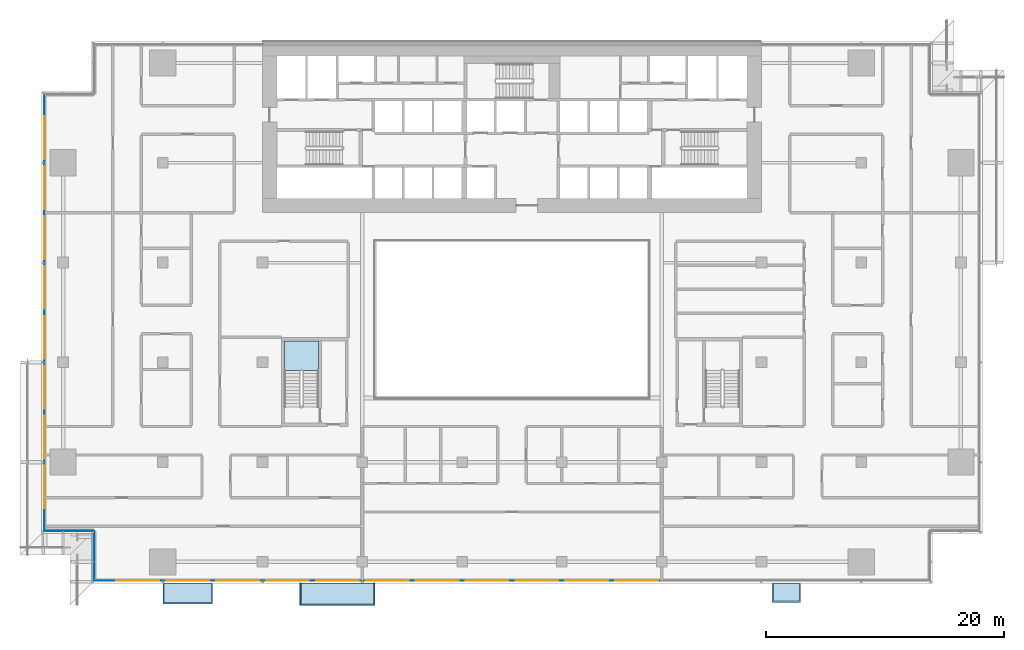
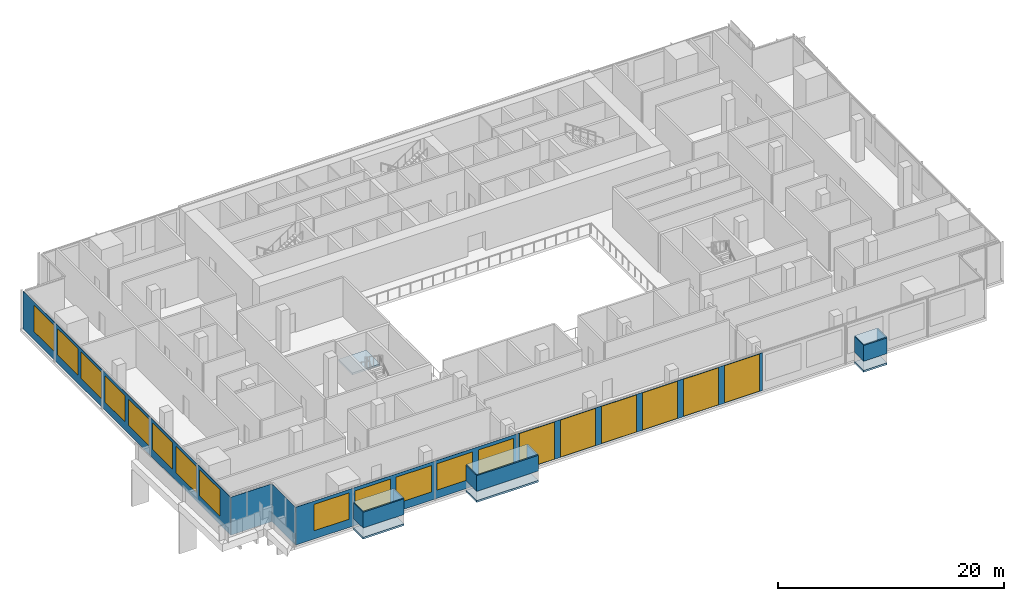
# One storey, part 11 of 23: 19 windows, 11 plates, 4 slabs, 19 openings, 5 elements without a shape of their own.
"""IFC4 building model written with IfcOpenShell, lengths in metres."""

from ifc_helpers import new_model, si_unit, direction, frame, frame_2d, origin, place, context, subcontext, project, spatial, polyline, rectangle, outline, extrude, material, layer, layer_set, type_object, element, fill, aggregate, save


model = new_model("IFC4")

# Units and contexts
model_context = context("Model", 3, precision=1e-05, world=origin(), true_north=direction((0.0, 1.0)))
body_context = subcontext(model_context, "Body", "Model", "MODEL_VIEW")
ifc_project = project(units=[si_unit("LENGTHUNIT", "METRE"), si_unit("AREAUNIT", "SQUARE_METRE"), si_unit("VOLUMEUNIT", "CUBIC_METRE"), si_unit("PLANEANGLEUNIT", "RADIAN"), si_unit("MASSUNIT", "GRAM", prefix="KILO")], contexts=[model_context])

# Site, building, storey
site_placement = place(None, origin())
site = spatial("IfcSite", under=ifc_project, at=site_placement, CompositionType="ELEMENT")
building_placement = place(site_placement, origin())
building = spatial("IfcBuilding", under=site, at=building_placement, Name="Saffron Gate Tower", CompositionType="ELEMENT")
storey_placement = place(building_placement, frame((0.0, 0.0, 32.699951171875)))
storey = spatial("IfcBuildingStorey", under=building, at=storey_placement, Name="L06", CompositionType="ELEMENT", Elevation=32.699951171875)

# Curtain wall, plates, openings, windows
ifc_material_1 = material(Name="Aluminium, bronze anodised", Category="aluminium")
curtain_wall_type = type_object("IfcCurtainWallType", Name="CWS6 curtain wall tall storeys", PredefinedType="NOTDEFINED", material=ifc_material_1)
curtain_wall_1_placement = place(storey_placement, origin())
curtain_wall_1 = element("IfcCurtainWall", 1, at=curtain_wall_1_placement, inside=storey, type_object=curtain_wall_type, Name="CWS6 run 1", PredefinedType="NOTDEFINED")
ifc_material_2 = material(Name="Clear low-iron laminated glass", Category="glass")
ifc_layer_1 = layer(ifc_material_2, 0.028076171875)
ifc_layer_set_1 = layer_set([ifc_layer_1], Name="CWS6 clear glass")
plate_type_1 = type_object("IfcPlateType", Name="CWS6 clear glass", PredefinedType="CURTAIN_PANEL", material=ifc_layer_set_1)
plate_1_placement = place(storey_placement, frame((75.0400390625, 30.214111328125, 0.0), z_axis=(0.0, 0.0, 1.0), x_axis=(1.0, 0.0, 0.0)))
plate_1 = element("IfcPlate", 2, at=plate_1_placement, type_object=plate_type_1, Name="CWS6 clear glass panel", PredefinedType="CURTAIN_PANEL", context=body_context, shape_type="SweptSolid", body=[
    extrude(rectangle(XDim=25.119873046875, YDim=0.028076171875, at=frame_2d((12.56005859375, 0.0))), origin(), (0.0, 0.0, 1.0), 4.10009765625),
])
opening_1_placement = place(plate_1_placement, frame((0.260009765625, 0.0, 0.050048828125)))
opening_1 = element("IfcOpeningElement", 3, at=opening_1_placement, cuts=plate_1, Name="Opening WA", PredefinedType="OPENING", context=body_context, shape_type="SweptSolid", body=[
    extrude(rectangle(XDim=3.60009765625, YDim=4.0, at=frame_2d((1.800048828125, 2.0))), frame((0.0, 0.02392578125, 0.0), z_axis=(0.0, -1.0, 0.0), x_axis=(1.0, 0.0, 0.0)), (0.0, 0.0, 1.0), 0.048095703125),
])
opening_2_placement = place(plate_1_placement, frame((4.4599609375, 0.0, 0.050048828125)))
opening_2 = element("IfcOpeningElement", 4, at=opening_2_placement, cuts=plate_1, Name="Opening WA", PredefinedType="OPENING", context=body_context, shape_type="SweptSolid", body=[
    extrude(rectangle(XDim=3.60009765625, YDim=4.0, at=frame_2d((1.800048828125, 2.0))), frame((0.0, 0.02392578125, 0.0), z_axis=(0.0, -1.0, 0.0), x_axis=(1.0, 0.0, 0.0)), (0.0, 0.0, 1.0), 0.048095703125),
])
opening_3_placement = place(plate_1_placement, frame((8.659912109375, 0.0, 0.050048828125)))
opening_3 = element("IfcOpeningElement", 5, at=opening_3_placement, cuts=plate_1, Name="Opening WA", PredefinedType="OPENING", context=body_context, shape_type="SweptSolid", body=[
    extrude(rectangle(XDim=3.60009765625, YDim=4.0, at=frame_2d((1.800048828125, 2.0))), frame((0.0, 0.02392578125, 0.0), z_axis=(0.0, -1.0, 0.0), x_axis=(1.0, 0.0, 0.0)), (0.0, 0.0, 1.0), 0.048095703125),
])
opening_4_placement = place(plate_1_placement, frame((12.860107421875, 0.0, 0.050048828125)))
opening_4 = element("IfcOpeningElement", 6, at=opening_4_placement, cuts=plate_1, Name="Opening WA", PredefinedType="OPENING", context=body_context, shape_type="SweptSolid", body=[
    extrude(rectangle(XDim=3.60009765625, YDim=4.0, at=frame_2d((1.800048828125, 2.0))), frame((0.0, 0.02392578125, 0.0), z_axis=(0.0, -1.0, 0.0), x_axis=(1.0, 0.0, 0.0)), (0.0, 0.0, 1.0), 0.048095703125),
])
opening_5_placement = place(plate_1_placement, frame((17.06005859375, 0.0, 0.050048828125)))
opening_5 = element("IfcOpeningElement", 7, at=opening_5_placement, cuts=plate_1, Name="Opening WA", PredefinedType="OPENING", context=body_context, shape_type="SweptSolid", body=[
    extrude(rectangle(XDim=3.60009765625, YDim=4.0, at=frame_2d((1.800048828125, 2.0))), frame((0.0, 0.02392578125, 0.0), z_axis=(0.0, -1.0, 0.0), x_axis=(1.0, 0.0, 0.0)), (0.0, 0.0, 1.0), 0.048095703125),
])
opening_6_placement = place(plate_1_placement, frame((21.260009765625, 0.0, 0.050048828125)))
opening_6 = element("IfcOpeningElement", 8, at=opening_6_placement, cuts=plate_1, Name="Opening WA", PredefinedType="OPENING", context=body_context, shape_type="SweptSolid", body=[
    extrude(rectangle(XDim=3.60009765625, YDim=4.0, at=frame_2d((1.800048828125, 2.0))), frame((0.0, 0.02392578125, 0.0), z_axis=(0.0, -1.0, 0.0), x_axis=(1.0, 0.0, 0.0)), (0.0, 0.0, 1.0), 0.048095703125),
])
ifc_material_3 = material(Name="Clear low-iron laminated glass in bronze frame", Category="glass")
ifc_layer_2 = layer(ifc_material_3, 0.06005859375)
ifc_layer_set_2 = layer_set([ifc_layer_2], Name="WA operable atrium unit 3600x4000")
window_type_1 = type_object("IfcWindowType", Name="WA operable atrium unit 3600x4000", PartitioningType="DOUBLE_PANEL_HORIZONTAL", PredefinedType="WINDOW", material=ifc_layer_set_2)
window_1_placement = place(opening_1_placement, origin())
window_1 = element("IfcWindow", 9, at=window_1_placement, type_object=window_type_1, Name="WA operable atrium unit", OverallHeight=4.0, OverallWidth=3.60009765625, PartitioningType="SINGLE_PANEL", PredefinedType="WINDOW", context=body_context, shape_type="SweptSolid", body=[
    extrude(rectangle(XDim=3.60009765625, YDim=4.0, at=frame_2d((1.800048828125, 2.0))), frame((0.0, 0.013671875, 0.0), z_axis=(0.0, -1.0, 0.0), x_axis=(1.0, 0.0, 0.0)), (0.0, 0.0, 1.0), 0.027587890625),
])
fill(opening_1, window_1)
window_2_placement = place(opening_2_placement, origin())
window_2 = element("IfcWindow", 10, at=window_2_placement, type_object=window_type_1, Name="WA operable atrium unit", OverallHeight=4.0, OverallWidth=3.60009765625, PartitioningType="SINGLE_PANEL", PredefinedType="WINDOW", context=body_context, shape_type="SweptSolid", body=[
    extrude(rectangle(XDim=3.60009765625, YDim=4.0, at=frame_2d((1.800048828125, 2.0))), frame((0.0, 0.013671875, 0.0), z_axis=(0.0, -1.0, 0.0), x_axis=(1.0, 0.0, 0.0)), (0.0, 0.0, 1.0), 0.027587890625),
])
fill(opening_2, window_2)
window_3_placement = place(opening_3_placement, origin())
window_3 = element("IfcWindow", 11, at=window_3_placement, type_object=window_type_1, Name="WA operable atrium unit", OverallHeight=4.0, OverallWidth=3.60009765625, PartitioningType="SINGLE_PANEL", PredefinedType="WINDOW", context=body_context, shape_type="SweptSolid", body=[
    extrude(rectangle(XDim=3.60009765625, YDim=4.0, at=frame_2d((1.800048828125, 2.0))), frame((0.0, 0.013671875, 0.0), z_axis=(0.0, -1.0, 0.0), x_axis=(1.0, 0.0, 0.0)), (0.0, 0.0, 1.0), 0.027587890625),
])
fill(opening_3, window_3)
window_4_placement = place(opening_4_placement, origin())
window_4 = element("IfcWindow", 12, at=window_4_placement, type_object=window_type_1, Name="WA operable atrium unit", OverallHeight=4.0, OverallWidth=3.60009765625, PartitioningType="SINGLE_PANEL", PredefinedType="WINDOW", context=body_context, shape_type="SweptSolid", body=[
    extrude(rectangle(XDim=3.60009765625, YDim=4.0, at=frame_2d((1.800048828125, 2.0))), frame((0.0, 0.013671875, 0.0), z_axis=(0.0, -1.0, 0.0), x_axis=(1.0, 0.0, 0.0)), (0.0, 0.0, 1.0), 0.027587890625),
])
fill(opening_4, window_4)
window_5_placement = place(opening_5_placement, origin())
window_5 = element("IfcWindow", 13, at=window_5_placement, type_object=window_type_1, Name="WA operable atrium unit", OverallHeight=4.0, OverallWidth=3.60009765625, PartitioningType="SINGLE_PANEL", PredefinedType="WINDOW", context=body_context, shape_type="SweptSolid", body=[
    extrude(rectangle(XDim=3.60009765625, YDim=4.0, at=frame_2d((1.800048828125, 2.0))), frame((0.0, 0.013671875, 0.0), z_axis=(0.0, -1.0, 0.0), x_axis=(1.0, 0.0, 0.0)), (0.0, 0.0, 1.0), 0.027587890625),
])
fill(opening_5, window_5)
window_6_placement = place(opening_6_placement, origin())
window_6 = element("IfcWindow", 14, at=window_6_placement, type_object=window_type_1, Name="WA operable atrium unit", OverallHeight=4.0, OverallWidth=3.60009765625, PartitioningType="SINGLE_PANEL", PredefinedType="WINDOW", context=body_context, shape_type="SweptSolid", body=[
    extrude(rectangle(XDim=3.60009765625, YDim=4.0, at=frame_2d((1.800048828125, 2.0))), frame((0.0, 0.013671875, 0.0), z_axis=(0.0, -1.0, 0.0), x_axis=(1.0, 0.0, 0.0)), (0.0, 0.0, 1.0), 0.027587890625),
])
fill(opening_6, window_6)
ifc_material_4 = material(Name="Fritted bronze-tinted laminated glass", Category="glass")
ifc_layer_3 = layer(ifc_material_4, 0.028076171875)
ifc_layer_set_3 = layer_set([ifc_layer_3], Name="CWS6 fixed glass")
plate_type_2 = type_object("IfcPlateType", Name="CWS6 fixed glass", PredefinedType="CURTAIN_PANEL", material=ifc_layer_set_3)
plate_2_placement = place(storey_placement, frame((52.427978515625, 30.214111328125, 0.0), z_axis=(0.0, 0.0, 1.0), x_axis=(1.0, 0.0, 0.0)))
plate_2 = element("IfcPlate", 15, at=plate_2_placement, type_object=plate_type_2, Name="CWS6 glass panel", PredefinedType="CURTAIN_PANEL", context=body_context, shape_type="SweptSolid", body=[
    extrude(rectangle(XDim=22.612060546875, YDim=0.028076171875, at=frame_2d((11.30615234375, 0.0))), origin(), (0.0, 0.0, 1.0), 4.10009765625),
])
opening_7_placement = place(plate_2_placement, frame((1.8720703125, 0.0, 0.89990234375)))
opening_7 = element("IfcOpeningElement", 16, at=opening_7_placement, cuts=plate_2, Name="Opening W4", PredefinedType="OPENING", context=body_context, shape_type="SweptSolid", body=[
    extrude(rectangle(XDim=3.60009765625, YDim=2.85009765625, at=frame_2d((1.800048828125, 1.425048828125))), frame((0.0, 0.02392578125, 0.0), z_axis=(0.0, -1.0, 0.0), x_axis=(1.0, 0.0, 0.0)), (0.0, 0.0, 1.0), 0.048095703125),
])
opening_8_placement = place(plate_2_placement, frame((6.072021484375, 0.0, 0.89990234375)))
opening_8 = element("IfcOpeningElement", 17, at=opening_8_placement, cuts=plate_2, Name="Opening W4", PredefinedType="OPENING", context=body_context, shape_type="SweptSolid", body=[
    extrude(rectangle(XDim=3.60009765625, YDim=2.85009765625, at=frame_2d((1.800048828125, 1.425048828125))), frame((0.0, 0.02392578125, 0.0), z_axis=(0.0, -1.0, 0.0), x_axis=(1.0, 0.0, 0.0)), (0.0, 0.0, 1.0), 0.048095703125),
])
opening_9_placement = place(plate_2_placement, frame((10.27197265625, 0.0, 0.89990234375)))
opening_9 = element("IfcOpeningElement", 18, at=opening_9_placement, cuts=plate_2, Name="Opening W4", PredefinedType="OPENING", context=body_context, shape_type="SweptSolid", body=[
    extrude(rectangle(XDim=3.60009765625, YDim=2.85009765625, at=frame_2d((1.800048828125, 1.425048828125))), frame((0.0, 0.02392578125, 0.0), z_axis=(0.0, -1.0, 0.0), x_axis=(1.0, 0.0, 0.0)), (0.0, 0.0, 1.0), 0.048095703125),
])
opening_10_placement = place(plate_2_placement, frame((14.471923828125, 0.0, 0.89990234375)))
opening_10 = element("IfcOpeningElement", 19, at=opening_10_placement, cuts=plate_2, Name="Opening W4", PredefinedType="OPENING", context=body_context, shape_type="SweptSolid", body=[
    extrude(rectangle(XDim=3.60009765625, YDim=2.85009765625, at=frame_2d((1.800048828125, 1.425048828125))), frame((0.0, 0.02392578125, 0.0), z_axis=(0.0, -1.0, 0.0), x_axis=(1.0, 0.0, 0.0)), (0.0, 0.0, 1.0), 0.048095703125),
])
opening_11_placement = place(plate_2_placement, frame((18.672119140625, 0.0, 0.89990234375)))
opening_11 = element("IfcOpeningElement", 20, at=opening_11_placement, cuts=plate_2, Name="Opening W4", PredefinedType="OPENING", context=body_context, shape_type="SweptSolid", body=[
    extrude(rectangle(XDim=3.60009765625, YDim=2.85009765625, at=frame_2d((1.800048828125, 1.425048828125))), frame((0.0, 0.02392578125, 0.0), z_axis=(0.0, -1.0, 0.0), x_axis=(1.0, 0.0, 0.0)), (0.0, 0.0, 1.0), 0.048095703125),
])
ifc_material_5 = material(Name="Fritted bronze-tinted laminated glass in bronze frame", Category="glass")
ifc_layer_4 = layer(ifc_material_5, 0.06005859375)
ifc_layer_set_4 = layer_set([ifc_layer_4], Name="W4 operable panel 3600x2850")
window_type_2 = type_object("IfcWindowType", Name="W4 operable panel 3600x2850", PartitioningType="DOUBLE_PANEL_HORIZONTAL", PredefinedType="WINDOW", material=ifc_layer_set_4)
window_7_placement = place(opening_7_placement, origin())
window_7 = element("IfcWindow", 21, at=window_7_placement, type_object=window_type_2, Name="W4 operable panel", OverallHeight=2.85009765625, OverallWidth=3.60009765625, PartitioningType="SINGLE_PANEL", PredefinedType="WINDOW", context=body_context, shape_type="SweptSolid", body=[
    extrude(rectangle(XDim=3.60009765625, YDim=2.85009765625, at=frame_2d((1.800048828125, 1.425048828125))), frame((0.0, 0.013671875, 0.0), z_axis=(0.0, -1.0, 0.0), x_axis=(1.0, 0.0, 0.0)), (0.0, 0.0, 1.0), 0.027587890625),
])
fill(opening_7, window_7)
window_8_placement = place(opening_8_placement, origin())
window_8 = element("IfcWindow", 22, at=window_8_placement, type_object=window_type_2, Name="W4 operable panel", OverallHeight=2.85009765625, OverallWidth=3.60009765625, PartitioningType="SINGLE_PANEL", PredefinedType="WINDOW", context=body_context, shape_type="SweptSolid", body=[
    extrude(rectangle(XDim=3.60009765625, YDim=2.85009765625, at=frame_2d((1.800048828125, 1.425048828125))), frame((0.0, 0.013671875, 0.0), z_axis=(0.0, -1.0, 0.0), x_axis=(1.0, 0.0, 0.0)), (0.0, 0.0, 1.0), 0.027587890625),
])
fill(opening_8, window_8)
window_9_placement = place(opening_9_placement, origin())
window_9 = element("IfcWindow", 23, at=window_9_placement, type_object=window_type_2, Name="W4 operable panel", OverallHeight=2.85009765625, OverallWidth=3.60009765625, PartitioningType="SINGLE_PANEL", PredefinedType="WINDOW", context=body_context, shape_type="SweptSolid", body=[
    extrude(rectangle(XDim=3.60009765625, YDim=2.85009765625, at=frame_2d((1.800048828125, 1.425048828125))), frame((0.0, 0.013671875, 0.0), z_axis=(0.0, -1.0, 0.0), x_axis=(1.0, 0.0, 0.0)), (0.0, 0.0, 1.0), 0.027587890625),
])
fill(opening_9, window_9)
window_10_placement = place(opening_10_placement, origin())
window_10 = element("IfcWindow", 24, at=window_10_placement, type_object=window_type_2, Name="W4 operable panel", OverallHeight=2.85009765625, OverallWidth=3.60009765625, PartitioningType="SINGLE_PANEL", PredefinedType="WINDOW", context=body_context, shape_type="SweptSolid", body=[
    extrude(rectangle(XDim=3.60009765625, YDim=2.85009765625, at=frame_2d((1.800048828125, 1.425048828125))), frame((0.0, 0.013671875, 0.0), z_axis=(0.0, -1.0, 0.0), x_axis=(1.0, 0.0, 0.0)), (0.0, 0.0, 1.0), 0.027587890625),
])
fill(opening_10, window_10)
window_11_placement = place(opening_11_placement, origin())
window_11 = element("IfcWindow", 25, at=window_11_placement, type_object=window_type_2, Name="W4 operable panel", OverallHeight=2.85009765625, OverallWidth=3.60009765625, PartitioningType="SINGLE_PANEL", PredefinedType="WINDOW", context=body_context, shape_type="SweptSolid", body=[
    extrude(rectangle(XDim=3.60009765625, YDim=2.85009765625, at=frame_2d((1.800048828125, 1.425048828125))), frame((0.0, 0.013671875, 0.0), z_axis=(0.0, -1.0, 0.0), x_axis=(1.0, 0.0, 0.0)), (0.0, 0.0, 1.0), 0.027587890625),
])
fill(opening_11, window_11)
aggregate(curtain_wall_1, [plate_2, plate_1, window_7, window_8, window_9, window_10, window_11, window_1, window_2, window_3, window_4, window_5, window_6])

# Curtain wall, plate, openings, windows
curtain_wall_2_placement = place(storey_placement, origin())
curtain_wall_2 = element("IfcCurtainWall", 26, at=curtain_wall_2_placement, inside=storey, type_object=curtain_wall_type, Name="CWS6 run 10", PredefinedType="NOTDEFINED")
plate_3_placement = place(storey_placement, frame((48.214111328125, 71.172119140625, 0.0), z_axis=(0.0, 0.0, 1.0), x_axis=(0.0, -1.0, 0.0)))
plate_3 = element("IfcPlate", 27, at=plate_3_placement, type_object=plate_type_2, Name="CWS6 glass panel", PredefinedType="CURTAIN_PANEL", context=body_context, shape_type="SweptSolid", body=[
    extrude(rectangle(XDim=36.744140625, YDim=0.028076171875, at=frame_2d((18.3720703125, 0.0))), origin(), (0.0, 0.0, 1.0), 4.10009765625),
])
opening_12_placement = place(plate_3_placement, frame((1.8720703125, 0.0, 0.89990234375)))
opening_12 = element("IfcOpeningElement", 28, at=opening_12_placement, cuts=plate_3, Name="Opening W4", PredefinedType="OPENING", context=body_context, shape_type="SweptSolid", body=[
    extrude(rectangle(XDim=3.60009765625, YDim=2.85009765625, at=frame_2d((1.800048828125, 1.425048828125))), frame((0.0, 0.02392578125, 0.0), z_axis=(0.0, -1.0, 0.0), x_axis=(1.0, 0.0, 0.0)), (0.0, 0.0, 1.0), 0.048095703125),
])
opening_13_placement = place(plate_3_placement, frame((6.072021484375, 0.0, 0.89990234375)))
opening_13 = element("IfcOpeningElement", 29, at=opening_13_placement, cuts=plate_3, Name="Opening W4", PredefinedType="OPENING", context=body_context, shape_type="SweptSolid", body=[
    extrude(rectangle(XDim=3.60009765625, YDim=2.85009765625, at=frame_2d((1.800048828125, 1.425048828125))), frame((0.0, 0.02392578125, 0.0), z_axis=(0.0, -1.0, 0.0), x_axis=(1.0, 0.0, 0.0)), (0.0, 0.0, 1.0), 0.048095703125),
])
opening_14_placement = place(plate_3_placement, frame((10.27197265625, 0.0, 0.89990234375)))
opening_14 = element("IfcOpeningElement", 30, at=opening_14_placement, cuts=plate_3, Name="Opening W4", PredefinedType="OPENING", context=body_context, shape_type="SweptSolid", body=[
    extrude(rectangle(XDim=3.60009765625, YDim=2.85009765625, at=frame_2d((1.800048828125, 1.425048828125))), frame((0.0, 0.02392578125, 0.0), z_axis=(0.0, -1.0, 0.0), x_axis=(1.0, 0.0, 0.0)), (0.0, 0.0, 1.0), 0.048095703125),
])
opening_15_placement = place(plate_3_placement, frame((14.471923828125, 0.0, 0.89990234375)))
opening_15 = element("IfcOpeningElement", 31, at=opening_15_placement, cuts=plate_3, Name="Opening W4", PredefinedType="OPENING", context=body_context, shape_type="SweptSolid", body=[
    extrude(rectangle(XDim=3.60009765625, YDim=2.85009765625, at=frame_2d((1.800048828125, 1.425048828125))), frame((0.0, 0.02392578125, 0.0), z_axis=(0.0, -1.0, 0.0), x_axis=(1.0, 0.0, 0.0)), (0.0, 0.0, 1.0), 0.048095703125),
])
opening_16_placement = place(plate_3_placement, frame((18.672119140625, 0.0, 0.89990234375)))
opening_16 = element("IfcOpeningElement", 32, at=opening_16_placement, cuts=plate_3, Name="Opening W4", PredefinedType="OPENING", context=body_context, shape_type="SweptSolid", body=[
    extrude(rectangle(XDim=3.60009765625, YDim=2.85009765625, at=frame_2d((1.800048828125, 1.425048828125))), frame((0.0, 0.02392578125, 0.0), z_axis=(0.0, -1.0, 0.0), x_axis=(1.0, 0.0, 0.0)), (0.0, 0.0, 1.0), 0.048095703125),
])
opening_17_placement = place(plate_3_placement, frame((22.8720703125, 0.0, 0.89990234375)))
opening_17 = element("IfcOpeningElement", 33, at=opening_17_placement, cuts=plate_3, Name="Opening W4", PredefinedType="OPENING", context=body_context, shape_type="SweptSolid", body=[
    extrude(rectangle(XDim=3.60009765625, YDim=2.85009765625, at=frame_2d((1.800048828125, 1.425048828125))), frame((0.0, 0.02392578125, 0.0), z_axis=(0.0, -1.0, 0.0), x_axis=(1.0, 0.0, 0.0)), (0.0, 0.0, 1.0), 0.048095703125),
])
opening_18_placement = place(plate_3_placement, frame((27.072021484375, 0.0, 0.89990234375)))
opening_18 = element("IfcOpeningElement", 34, at=opening_18_placement, cuts=plate_3, Name="Opening W4", PredefinedType="OPENING", context=body_context, shape_type="SweptSolid", body=[
    extrude(rectangle(XDim=3.60009765625, YDim=2.85009765625, at=frame_2d((1.800048828125, 1.425048828125))), frame((0.0, 0.02392578125, 0.0), z_axis=(0.0, -1.0, 0.0), x_axis=(1.0, 0.0, 0.0)), (0.0, 0.0, 1.0), 0.048095703125),
])
opening_19_placement = place(plate_3_placement, frame((31.27197265625, 0.0, 0.89990234375)))
opening_19 = element("IfcOpeningElement", 35, at=opening_19_placement, cuts=plate_3, Name="Opening W4", PredefinedType="OPENING", context=body_context, shape_type="SweptSolid", body=[
    extrude(rectangle(XDim=3.60009765625, YDim=2.85009765625, at=frame_2d((1.800048828125, 1.425048828125))), frame((0.0, 0.02392578125, 0.0), z_axis=(0.0, -1.0, 0.0), x_axis=(1.0, 0.0, 0.0)), (0.0, 0.0, 1.0), 0.048095703125),
])
window_12_placement = place(opening_12_placement, origin())
window_12 = element("IfcWindow", 36, at=window_12_placement, type_object=window_type_2, Name="W4 operable panel", OverallHeight=2.85009765625, OverallWidth=3.60009765625, PartitioningType="SINGLE_PANEL", PredefinedType="WINDOW", context=body_context, shape_type="SweptSolid", body=[
    extrude(rectangle(XDim=3.60009765625, YDim=2.85009765625, at=frame_2d((1.800048828125, 1.425048828125))), frame((0.0, 0.013671875, 0.0), z_axis=(0.0, -1.0, 0.0), x_axis=(1.0, 0.0, 0.0)), (0.0, 0.0, 1.0), 0.027587890625),
])
fill(opening_12, window_12)
window_13_placement = place(opening_13_placement, origin())
window_13 = element("IfcWindow", 37, at=window_13_placement, type_object=window_type_2, Name="W4 operable panel", OverallHeight=2.85009765625, OverallWidth=3.60009765625, PartitioningType="SINGLE_PANEL", PredefinedType="WINDOW", context=body_context, shape_type="SweptSolid", body=[
    extrude(rectangle(XDim=3.60009765625, YDim=2.85009765625, at=frame_2d((1.800048828125, 1.425048828125))), frame((0.0, 0.013671875, 0.0), z_axis=(0.0, -1.0, 0.0), x_axis=(1.0, 0.0, 0.0)), (0.0, 0.0, 1.0), 0.027587890625),
])
fill(opening_13, window_13)
window_14_placement = place(opening_14_placement, origin())
window_14 = element("IfcWindow", 38, at=window_14_placement, type_object=window_type_2, Name="W4 operable panel", OverallHeight=2.85009765625, OverallWidth=3.60009765625, PartitioningType="SINGLE_PANEL", PredefinedType="WINDOW", context=body_context, shape_type="SweptSolid", body=[
    extrude(rectangle(XDim=3.60009765625, YDim=2.85009765625, at=frame_2d((1.800048828125, 1.425048828125))), frame((0.0, 0.013671875, 0.0), z_axis=(0.0, -1.0, 0.0), x_axis=(1.0, 0.0, 0.0)), (0.0, 0.0, 1.0), 0.027587890625),
])
fill(opening_14, window_14)
window_15_placement = place(opening_15_placement, origin())
window_15 = element("IfcWindow", 39, at=window_15_placement, type_object=window_type_2, Name="W4 operable panel", OverallHeight=2.85009765625, OverallWidth=3.60009765625, PartitioningType="SINGLE_PANEL", PredefinedType="WINDOW", context=body_context, shape_type="SweptSolid", body=[
    extrude(rectangle(XDim=3.60009765625, YDim=2.85009765625, at=frame_2d((1.800048828125, 1.425048828125))), frame((0.0, 0.013671875, 0.0), z_axis=(0.0, -1.0, 0.0), x_axis=(1.0, 0.0, 0.0)), (0.0, 0.0, 1.0), 0.027587890625),
])
fill(opening_15, window_15)
window_16_placement = place(opening_16_placement, origin())
window_16 = element("IfcWindow", 40, at=window_16_placement, type_object=window_type_2, Name="W4 operable panel", OverallHeight=2.85009765625, OverallWidth=3.60009765625, PartitioningType="SINGLE_PANEL", PredefinedType="WINDOW", context=body_context, shape_type="SweptSolid", body=[
    extrude(rectangle(XDim=3.60009765625, YDim=2.85009765625, at=frame_2d((1.800048828125, 1.425048828125))), frame((0.0, 0.013671875, 0.0), z_axis=(0.0, -1.0, 0.0), x_axis=(1.0, 0.0, 0.0)), (0.0, 0.0, 1.0), 0.027587890625),
])
fill(opening_16, window_16)
window_17_placement = place(opening_17_placement, origin())
window_17 = element("IfcWindow", 41, at=window_17_placement, type_object=window_type_2, Name="W4 operable panel", OverallHeight=2.85009765625, OverallWidth=3.60009765625, PartitioningType="SINGLE_PANEL", PredefinedType="WINDOW", context=body_context, shape_type="SweptSolid", body=[
    extrude(rectangle(XDim=3.60009765625, YDim=2.85009765625, at=frame_2d((1.800048828125, 1.425048828125))), frame((0.0, 0.013671875, 0.0), z_axis=(0.0, -1.0, 0.0), x_axis=(1.0, 0.0, 0.0)), (0.0, 0.0, 1.0), 0.027587890625),
])
fill(opening_17, window_17)
window_18_placement = place(opening_18_placement, origin())
window_18 = element("IfcWindow", 42, at=window_18_placement, type_object=window_type_2, Name="W4 operable panel", OverallHeight=2.85009765625, OverallWidth=3.60009765625, PartitioningType="SINGLE_PANEL", PredefinedType="WINDOW", context=body_context, shape_type="SweptSolid", body=[
    extrude(rectangle(XDim=3.60009765625, YDim=2.85009765625, at=frame_2d((1.800048828125, 1.425048828125))), frame((0.0, 0.013671875, 0.0), z_axis=(0.0, -1.0, 0.0), x_axis=(1.0, 0.0, 0.0)), (0.0, 0.0, 1.0), 0.027587890625),
])
fill(opening_18, window_18)
window_19_placement = place(opening_19_placement, origin())
window_19 = element("IfcWindow", 43, at=window_19_placement, type_object=window_type_2, Name="W4 operable panel", OverallHeight=2.85009765625, OverallWidth=3.60009765625, PartitioningType="SINGLE_PANEL", PredefinedType="WINDOW", context=body_context, shape_type="SweptSolid", body=[
    extrude(rectangle(XDim=3.60009765625, YDim=2.85009765625, at=frame_2d((1.800048828125, 1.425048828125))), frame((0.0, 0.013671875, 0.0), z_axis=(0.0, -1.0, 0.0), x_axis=(1.0, 0.0, 0.0)), (0.0, 0.0, 1.0), 0.027587890625),
])
fill(opening_19, window_19)
aggregate(curtain_wall_2, [plate_3, window_12, window_13, window_14, window_15, window_16, window_17, window_18, window_19])

# Curtain wall, plate
curtain_wall_3_placement = place(storey_placement, origin())
curtain_wall_3 = element("IfcCurtainWall", 44, at=curtain_wall_3_placement, inside=storey, type_object=curtain_wall_type, Name="CWS6 run 11", PredefinedType="NOTDEFINED")
plate_4_placement = place(storey_placement, frame((48.22802734375, 34.4140625, 0.0), z_axis=(0.0, 0.0, 1.0), x_axis=(1.0, 0.0, 0.0)))
plate_4 = element("IfcPlate", 45, at=plate_4_placement, type_object=plate_type_2, Name="CWS6 glass panel", PredefinedType="CURTAIN_PANEL", context=body_context, shape_type="SweptSolid", body=[
    extrude(rectangle(XDim=4.171875, YDim=0.028076171875, at=frame_2d((2.0859375, 0.0))), origin(), (0.0, 0.0, 1.0), 4.10009765625),
])
aggregate(curtain_wall_3, [plate_4])

curtain_wall_4_placement = place(storey_placement, origin())
curtain_wall_4 = element("IfcCurtainWall", 46, at=curtain_wall_4_placement, inside=storey, type_object=curtain_wall_type, Name="CWS6 run 12", PredefinedType="NOTDEFINED")
plate_5_placement = place(storey_placement, frame((52.4140625, 34.39990234375, 0.0), z_axis=(0.0, 0.0, 1.0), x_axis=(0.0, -1.0, 0.0)))
plate_5 = element("IfcPlate", 47, at=plate_5_placement, type_object=plate_type_2, Name="CWS6 glass panel", PredefinedType="CURTAIN_PANEL", context=body_context, shape_type="SweptSolid", body=[
    extrude(rectangle(XDim=4.171875, YDim=0.028076171875, at=frame_2d((2.0859375, 0.0))), origin(), (0.0, 0.0, 1.0), 4.10009765625),
])
aggregate(curtain_wall_4, [plate_5])

# Stair, slab
ifc_material_6 = material(Name="Concrete C40", Category="concrete")
stair_type = type_object("IfcStairType", Name="ST6 Stair 1350 wide, 24 risers of 188", PredefinedType="HALF_TURN_STAIR", material=ifc_material_6)
stair_placement = place(storey_placement, origin())
stair = element("IfcStair", 48, at=stair_placement, inside=storey, type_object=stair_type, Name="L06 Exit stair D", PredefinedType="HALF_TURN_STAIR")
ifc_layer_5 = layer(ifc_material_6, 0.199951171875)
ifc_layer_set_5 = layer_set([ifc_layer_5], Name="SL1 Stair landing 200")
slab_type_1 = type_object("IfcSlabType", Name="SL1 Stair landing 200", PredefinedType="LANDING", material=ifc_layer_set_5)
slab_1_placement = place(storey_placement, frame((0.0, 0.0, 2.050048828125)))
slab_1 = element("IfcSlab", 49, at=slab_1_placement, type_object=slab_type_1, Name="ST-D landing 1", PredefinedType="LANDING", context=body_context, shape_type="SweptSolid", body=[
    extrude(outline(polyline([(71.300048828125, 47.929931640625), (71.300048828125, 50.39990234375), (68.449951171875, 50.39990234375), (68.449951171875, 47.929931640625), (71.300048828125, 47.929931640625)])), origin(), (0.0, 0.0, 1.0), 0.199951171875),
])
aggregate(stair, [slab_1])

# Slabs
ifc_material_7 = material(Name="Timber deck on bronze frame", Category="wood")
ifc_layer_6 = layer(ifc_material_7, 0.199951171875)
ifc_layer_set_6 = layer_set([ifc_layer_6], Name="WB1 box floor")
slab_type_2 = type_object("IfcSlabType", Name="WB1 box floor", PredefinedType="FLOOR", material=ifc_layer_set_6)
slab_2_placement = place(storey_placement, frame((0.0, 0.0, -0.199951171875)))
element("IfcSlab", 50, at=slab_2_placement, inside=storey, type_object=slab_type_2, Name="WINDOW BOX floor", PredefinedType="FLOOR", context=body_context, shape_type="SweptSolid", body=[
    extrude(outline(polyline([(58.199951171875, 30.0), (62.39990234375, 30.0), (62.39990234375, 28.26708984375), (58.199951171875, 28.26708984375), (58.199951171875, 30.0)])), origin(), (0.0, 0.0, 1.0), 0.199951171875),
])
slab_3_placement = place(storey_placement, frame((0.0, 0.0, -0.199951171875)))
element("IfcSlab", 51, at=slab_3_placement, inside=storey, type_object=slab_type_2, Name="WINDOW BOX floor", PredefinedType="FLOOR", context=body_context, shape_type="SweptSolid", body=[
    extrude(outline(polyline([(69.75, 30.0), (76.050048828125, 30.0), (76.050048828125, 28.133056640625), (69.75, 28.133056640625), (69.75, 30.0)])), origin(), (0.0, 0.0, 1.0), 0.199951171875),
])
slab_4_placement = place(storey_placement, frame((0.0, 0.0, -0.199951171875)))
element("IfcSlab", 52, at=slab_4_placement, inside=storey, type_object=slab_type_2, Name="WINDOW BOX floor", PredefinedType="FLOOR", context=body_context, shape_type="SweptSolid", body=[
    extrude(outline(polyline([(109.5, 30.0), (111.89990234375, 30.0), (111.89990234375, 28.39990234375), (109.5, 28.39990234375), (109.5, 30.0)])), origin(), (0.0, 0.0, 1.0), 0.199951171875),
])

# Plates
ifc_layer_7 = layer(ifc_material_1, 0.1201171875)
ifc_layer_set_7 = layer_set([ifc_layer_7], Name="WB2 box roof")
plate_type_3 = type_object("IfcPlateType", Name="WB2 box roof", PredefinedType="SHEET", material=ifc_layer_set_7)
plate_6_placement = place(storey_placement, frame((0.0, 0.0, 2.699951171875)))
element("IfcPlate", 53, at=plate_6_placement, inside=storey, type_object=plate_type_3, Name="WINDOW BOX roof", PredefinedType="SHEET", context=body_context, shape_type="SweptSolid", body=[
    extrude(outline(polyline([(58.199951171875, 30.0), (62.39990234375, 30.0), (62.39990234375, 28.26708984375), (58.199951171875, 28.26708984375), (58.199951171875, 30.0)])), origin(), (0.0, 0.0, 1.0), 0.1201171875),
])
plate_7_placement = place(storey_placement, frame((0.0, 0.0, 2.699951171875)))
element("IfcPlate", 54, at=plate_7_placement, inside=storey, type_object=plate_type_3, Name="WINDOW BOX roof", PredefinedType="SHEET", context=body_context, shape_type="SweptSolid", body=[
    extrude(outline(polyline([(69.75, 30.0), (76.050048828125, 30.0), (76.050048828125, 28.133056640625), (69.75, 28.133056640625), (69.75, 30.0)])), origin(), (0.0, 0.0, 1.0), 0.1201171875),
])
plate_8_placement = place(storey_placement, frame((0.0, 0.0, 2.699951171875)))
element("IfcPlate", 55, at=plate_8_placement, inside=storey, type_object=plate_type_3, Name="WINDOW BOX roof", PredefinedType="SHEET", context=body_context, shape_type="SweptSolid", body=[
    extrude(outline(polyline([(109.5, 30.0), (111.89990234375, 30.0), (111.89990234375, 28.39990234375), (109.5, 28.39990234375), (109.5, 30.0)])), origin(), (0.0, 0.0, 1.0), 0.1201171875),
])
ifc_layer_8 = layer(ifc_material_2, 0.10009765625)
ifc_layer_set_8 = layer_set([ifc_layer_8], Name="WB6 box glazing")
plate_type_4 = type_object("IfcPlateType", Name="WB6 box glazing", PredefinedType="SHEET", material=ifc_layer_set_8)
plate_9_placement = place(storey_placement, frame((0.0, 0.0, 1.0)))
element("IfcPlate", 56, at=plate_9_placement, inside=storey, type_object=plate_type_4, Name="WINDOW BOX glazing", PredefinedType="SHEET", context=body_context, shape_type="SweptSolid", body=[
    extrude(outline(polyline([(58.199951171875, 30.0), (58.300048828125, 30.0), (58.300048828125, 28.366943359375), (62.300048828125, 28.366943359375), (62.300048828125, 30.0), (62.39990234375, 30.0), (62.39990234375, 28.26708984375), (58.199951171875, 28.26708984375), (58.199951171875, 30.0)])), origin(), (0.0, 0.0, 1.0), 1.699951171875),
])
plate_10_placement = place(storey_placement, frame((0.0, 0.0, 1.0)))
element("IfcPlate", 57, at=plate_10_placement, inside=storey, type_object=plate_type_4, Name="WINDOW BOX glazing", PredefinedType="SHEET", context=body_context, shape_type="SweptSolid", body=[
    extrude(outline(polyline([(69.75, 30.0), (69.85009765625, 30.0), (69.85009765625, 28.23291015625), (75.949951171875, 28.23291015625), (75.949951171875, 30.0), (76.050048828125, 30.0), (76.050048828125, 28.133056640625), (69.75, 28.133056640625), (69.75, 30.0)])), origin(), (0.0, 0.0, 1.0), 1.699951171875),
])
plate_11_placement = place(storey_placement, frame((0.0, 0.0, 1.0)))
element("IfcPlate", 58, at=plate_11_placement, inside=storey, type_object=plate_type_4, Name="WINDOW BOX glazing", PredefinedType="SHEET", context=body_context, shape_type="SweptSolid", body=[
    extrude(outline(polyline([(109.5, 30.0), (109.60009765625, 30.0), (109.60009765625, 28.5), (111.800048828125, 28.5), (111.800048828125, 30.0), (111.89990234375, 30.0), (111.89990234375, 28.39990234375), (109.5, 28.39990234375), (109.5, 30.0)])), origin(), (0.0, 0.0, 1.0), 1.699951171875),
])

save(model, "model.ifc")
